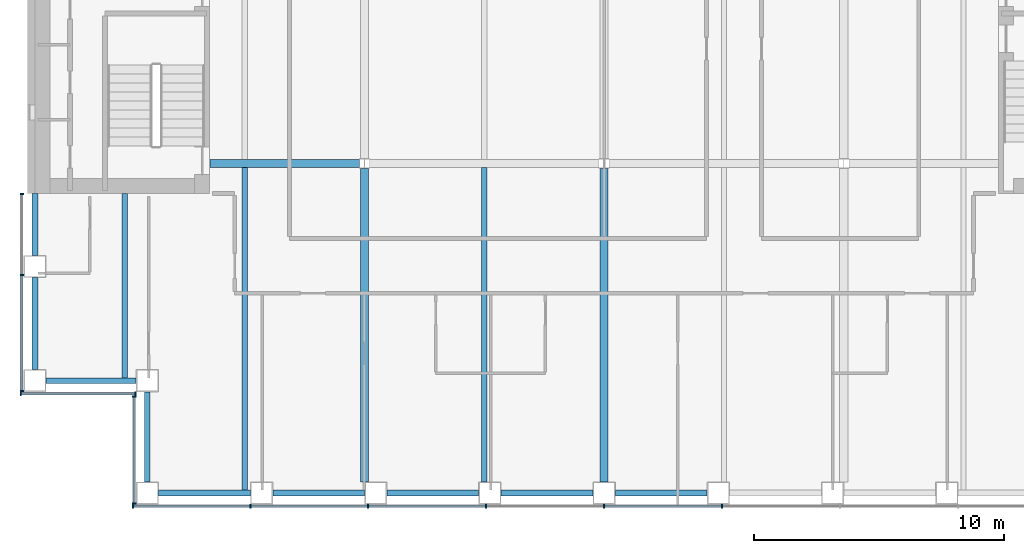
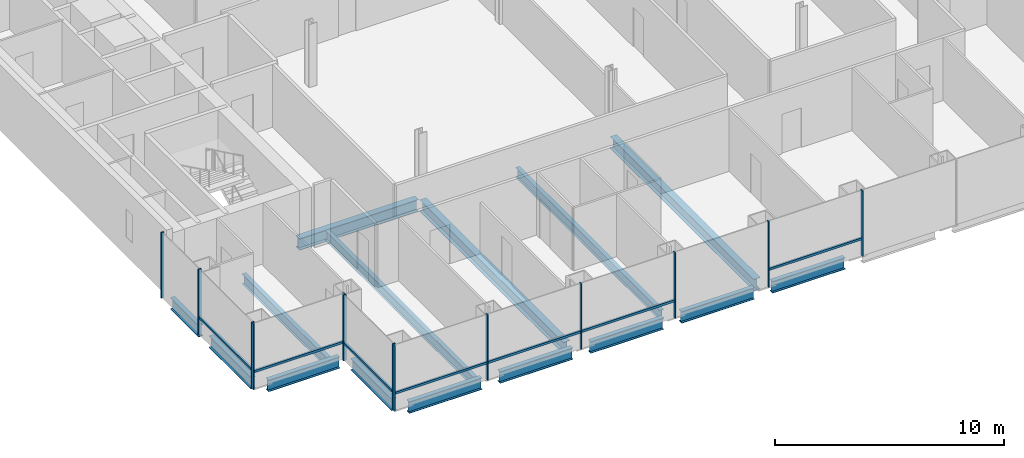
# One storey, part 2 of 16: 20 members, 15 beams, 4 elements without a shape of their own.
"""IFC4 building model written with IfcOpenShell, lengths in metres."""

import ifcopenshell
import ifcopenshell.guid

model = None  # the IFC model being written
_history = None  # IfcOwnerHistory: only IFC2X3 demands one
_inside = {}  # id of a spatial element -> (the spatial element, [elements in it])
_under = {}  # id of a project, library or spatial element -> (it, [spatial elements below it])
_declared = {}  # id of a project -> (the project, [libraries it declares])
_typed = {}  # id of a type object -> (the type object, [elements of that type])
_made_of = {}  # id of a material, layer set ... -> (it, [elements and type objects made of it])


def new_model(schema):
    """Start an empty IFC model of exactly this schema.

    Asked for "IFC4X3", IfcOpenShell would pick the latest addendum, in which some entities
    have other attributes; the version numbers below select the first issue.
    IFC2X3 requires an IfcOwnerHistory on every rooted entity: one is made here for all.
    """
    global model, _history
    if schema == "IFC4X3":
        model = ifcopenshell.file(schema_version=(4, 3, 0, 0))
    else:
        model = ifcopenshell.file(schema=schema)
    _inside.clear()
    _under.clear()
    _declared.clear()
    _typed.clear()
    _made_of.clear()
    _history = None
    if model.schema == "IFC2X3":
        org = make("IfcOrganization", Name="unknown")
        user = make(
            "IfcPersonAndOrganization",
            ThePerson=make("IfcPerson", FamilyName="unknown"),
            TheOrganization=org,
        )
        app = make(
            "IfcApplication",
            ApplicationDeveloper=org,
            Version="unknown",
            ApplicationFullName="unknown",
            ApplicationIdentifier="unknown",
        )
        _history = make(
            "IfcOwnerHistory",
            OwningUser=user,
            OwningApplication=app,
            ChangeAction="ADDED",
            CreationDate=0,
        )
    return model


def make(cls, **values):
    """One entity of the class cls with the attributes given. An attribute that is None is left unset."""
    return model.create_entity(
        cls, **{name: value for name, value in values.items() if value is not None}
    )


def rooted(cls, **values):
    """An entity with a GlobalId (a new one), such as an element, a storey or a relation."""
    return make(cls, GlobalId=ifcopenshell.guid.new(), OwnerHistory=_history, **values)


def si_unit(unit_type, name, prefix=None):
    """IfcSIUnit, for example si_unit("LENGTHUNIT", "METRE", prefix="MILLI")."""
    return make("IfcSIUnit", UnitType=unit_type, Prefix=prefix, Name=name)


def assignment(units):
    """IfcUnitAssignment: the units of a project."""
    return None if units is None else make("IfcUnitAssignment", Units=units)


def point(xyz):
    """IfcCartesianPoint."""
    return None if xyz is None else make("IfcCartesianPoint", Coordinates=xyz)


def direction(xyz):
    """IfcDirection."""
    return None if xyz is None else make("IfcDirection", DirectionRatios=xyz)


def frame(location, z_axis=None, x_axis=None):
    """IfcAxis2Placement3D, a coordinate frame: its origin and axes. An axis left out is left unset."""
    return make(
        "IfcAxis2Placement3D",
        Location=point(location),
        Axis=direction(z_axis),
        RefDirection=direction(x_axis),
    )


def frame_2d(location, x_axis=None):
    """IfcAxis2Placement2D, a coordinate frame in the plane: its origin and x axis."""
    return make(
        "IfcAxis2Placement2D", Location=point(location), RefDirection=direction(x_axis)
    )


def origin():
    """The frame at (0, 0, 0) with its axes left unset."""
    return frame((0.0, 0.0, 0.0))


def origin_2d():
    """The frame at (0, 0) in the plane with its x axis left unset."""
    return frame_2d((0.0, 0.0))


def place(relative_to, where):
    """IfcLocalPlacement: puts the frame where relative to a parent placement (None: the world)."""
    return make(
        "IfcLocalPlacement", PlacementRelTo=relative_to, RelativePlacement=where
    )


def context(
    kind, dimensions, precision=None, world=None, true_north=None, identifier=None
):
    """IfcGeometricRepresentationContext, for example the 3D "Model" context."""
    return make(
        "IfcGeometricRepresentationContext",
        ContextIdentifier=identifier,
        ContextType=kind,
        CoordinateSpaceDimension=dimensions,
        Precision=precision,
        WorldCoordinateSystem=world,
        TrueNorth=true_north,
    )


def subcontext(parent, identifier, kind, view, scale=None):
    """IfcGeometricRepresentationSubContext, for example "Body" below "Model"."""
    return make(
        "IfcGeometricRepresentationSubContext",
        ContextIdentifier=identifier,
        ContextType=kind,
        ParentContext=parent,
        TargetScale=scale,
        TargetView=view,
    )


def project(units=None, contexts=None):
    """IfcProject with its units and contexts."""
    return rooted(
        "IfcProject",
        Name="project",
        RepresentationContexts=contexts,
        UnitsInContext=assignment(units),
    )


def spatial(cls, under=None, at=None, **own):
    """A site, building, storey or space (cls), placed at a placement, below another one or the project."""
    s = rooted(cls, ObjectPlacement=at, **own)
    if under is not None:
        _under.setdefault(under.id(), (under, []))[1].append(s)
    return s


def profile(cls, at=None, kind="AREA", **sizes):
    """A parametric profile (cls). Its sizes go by their IFC names, for example OverallWidth=200.0."""
    return make(cls, ProfileType=kind, Position=at, **sizes)


def rectangle(**sizes):
    """IfcRectangleProfileDef."""
    return profile("IfcRectangleProfileDef", **sizes)


def i_section(**sizes):
    """IfcIShapeProfileDef."""
    return profile("IfcIShapeProfileDef", **sizes)


def extrude(swept, where, along, depth):
    """IfcExtrudedAreaSolid: the profile swept, set in the frame where, extruded along a direction by depth."""
    return make(
        "IfcExtrudedAreaSolid",
        SweptArea=swept,
        Position=where,
        ExtrudedDirection=direction(along),
        Depth=depth,
    )


def shape(context_of_items, identifier, shape_type, items):
    """IfcShapeRepresentation: the items that make up one representation, for example the "Body"."""
    return make(
        "IfcShapeRepresentation",
        ContextOfItems=context_of_items,
        RepresentationIdentifier=identifier,
        RepresentationType=shape_type,
        Items=items,
    )


def material(Name=None, Category=None):
    """IfcMaterial."""
    return make("IfcMaterial", Name=Name, Category=Category)


def material_profile(
    of_material, cross_section, Name=None, Category=None, Priority=None
):
    """IfcMaterialProfile: a cross section and its material."""
    return make(
        "IfcMaterialProfile",
        Name=Name,
        Material=of_material,
        Profile=cross_section,
        Priority=Priority,
        Category=Category,
    )


def profile_set(profiles, Name=None, composite=None):
    """IfcMaterialProfileSet."""
    return make(
        "IfcMaterialProfileSet",
        Name=Name,
        MaterialProfiles=profiles,
        CompositeProfile=composite,
    )


def made_of(thing, what):
    """Note that an element or type object is made of a material, layer set ...; save() writes the relation."""
    if what is not None:
        _made_of.setdefault(what.id(), (what, []))[1].append(thing)
    return thing


def type_object(cls, material=None, **own):
    """A type object (cls), such as IfcWallType, which elements share."""
    return made_of(rooted(cls, **own), material)


def element(
    cls,
    number,
    at=None,
    inside=None,
    cuts=None,
    type_object=None,
    material=None,
    context=None,
    identifier="Body",
    shape_type=None,
    held_by="IfcProductDefinitionShape",
    body=None,
    shapes=None,
    **own,
):
    """One element of the class cls, such as IfcWall. Its Tag is "e" and its number.

    at: its placement. inside: the storey or other place that contains it. cuts: it is an
    opening in that element (IfcRelVoidsElement). A single representation is given by context,
    identifier, shape_type and body (its items); several are given by shapes. held_by: the class
    of the entity that holds the representations. save() writes the other relations.
    """
    e = rooted(cls, Tag="e%d" % number, ObjectPlacement=at, **own)
    if body is not None:
        shapes = [shape(context, identifier, shape_type, body)]
    if shapes is not None:
        e.Representation = make(held_by, Representations=shapes)
    if inside is not None:
        _inside.setdefault(inside.id(), (inside, []))[1].append(e)
    if cuts is not None:
        rooted(
            "IfcRelVoidsElement", RelatingBuildingElement=cuts, RelatedOpeningElement=e
        )
    if type_object is not None:
        _typed.setdefault(type_object.id(), (type_object, []))[1].append(e)
    return made_of(e, material)


def aggregate(whole, parts):
    """IfcRelAggregates: a whole, such as a stair, and the parts it consists of."""
    return rooted("IfcRelAggregates", RelatingObject=whole, RelatedObjects=parts)


def save(model, path):
    """Write the relations noted so far, then the file.

    IfcRelAggregates (storeys below a building ...), IfcRelContainedInSpatialStructure (elements
    in a storey), IfcRelDefinesByType, IfcRelAssociatesMaterial and IfcRelDeclares: one each for
    every whole, place, type object, material and project.
    """
    for whole, parts in _under.values():
        aggregate(whole, parts)
    for where, things in _inside.values():
        rooted(
            "IfcRelContainedInSpatialStructure",
            RelatedElements=things,
            RelatingStructure=where,
        )
    for kind, things in _typed.values():
        rooted("IfcRelDefinesByType", RelatedObjects=things, RelatingType=kind)
    for what, things in _made_of.values():
        rooted("IfcRelAssociatesMaterial", RelatedObjects=things, RelatingMaterial=what)
    for by, libraries in _declared.values():
        rooted("IfcRelDeclares", RelatingContext=by, RelatedDefinitions=libraries)
    model.write(path)


model = new_model("IFC4")

# Units and contexts
model_context = context("Model", 3, precision=1e-05, world=origin(), true_north=direction((0.0, 1.0)))
body_context = subcontext(model_context, "Body", "Model", "MODEL_VIEW")
ifc_project = project(units=[si_unit("LENGTHUNIT", "METRE"), si_unit("AREAUNIT", "SQUARE_METRE"), si_unit("VOLUMEUNIT", "CUBIC_METRE"), si_unit("PLANEANGLEUNIT", "RADIAN"), si_unit("MASSUNIT", "GRAM", prefix="KILO")], contexts=[model_context])

# Site, building, storey
site_placement = place(None, origin())
site = spatial("IfcSite", under=ifc_project, at=site_placement, CompositionType="ELEMENT")
building_placement = place(site_placement, origin())
building = spatial("IfcBuilding", under=site, at=building_placement, Name="Cobrizo Arcos Hotel Tower", CompositionType="ELEMENT")
storey_placement = place(building_placement, frame((0.0, 0.0, 113.5)))
storey = spatial("IfcBuildingStorey", under=building, at=storey_placement, Name="L28", CompositionType="ELEMENT", Elevation=113.5)

# Curtain wall, members
ifc_material_1 = material(Name="Aluminium 6063-T6 anodised bronze", Category="aluminium")
curtain_wall_type = type_object("IfcCurtainWallType", Name="CW-A guest facade", PredefinedType="NOTDEFINED", material=ifc_material_1)
curtain_wall_1_placement = place(storey_placement, origin())
curtain_wall_1 = element("IfcCurtainWall", 1, at=curtain_wall_1_placement, inside=storey, type_object=curtain_wall_type, Name="CW-A L28 S face", PredefinedType="NOTDEFINED")
ifc_material_profile_1 = material_profile(ifc_material_1, rectangle(XDim=0.14990234375, YDim=0.06005859375, at=origin_2d()), Name="CW-A mullion 150x60")
ifc_profile_set_1 = profile_set([ifc_material_profile_1], Name="Aluminium 6063-T6 anodised bronze")
member_type_1 = type_object("IfcMemberType", Name="CW-A mullion 150x60", PredefinedType="MULLION", material=ifc_profile_set_1)
member_1_placement = place(storey_placement, frame((-18.8701171875, -23.324951171875, 0.0), z_axis=(0.0, 0.0, 1.0), x_axis=(0.0, -1.0, 0.0)))
member_1 = element("IfcMember", 2, at=member_1_placement, type_object=member_type_1, Name="CW-A mullion 1", PredefinedType="MULLION", context=body_context, shape_type="SweptSolid", body=[
    extrude(rectangle(XDim=0.14990234375, YDim=0.06005859375, at=origin_2d()), origin(), (0.0, 0.0, 1.0), 3.5),
])
member_2_placement = place(storey_placement, frame((-14.175048828125, -23.324951171875, 0.0), z_axis=(0.0, 0.0, 1.0), x_axis=(0.0, -1.0, 0.0)))
member_2 = element("IfcMember", 3, at=member_2_placement, type_object=member_type_1, Name="CW-A mullion 2", PredefinedType="MULLION", context=body_context, shape_type="SweptSolid", body=[
    extrude(rectangle(XDim=0.14990234375, YDim=0.06005859375, at=origin_2d()), origin(), (0.0, 0.0, 1.0), 3.5),
])
member_3_placement = place(storey_placement, frame((-9.449951171875, -23.324951171875, 0.0), z_axis=(0.0, 0.0, 1.0), x_axis=(0.0, -1.0, 0.0)))
member_3 = element("IfcMember", 4, at=member_3_placement, type_object=member_type_1, Name="CW-A mullion 3", PredefinedType="MULLION", context=body_context, shape_type="SweptSolid", body=[
    extrude(rectangle(XDim=0.14990234375, YDim=0.06005859375, at=origin_2d()), origin(), (0.0, 0.0, 1.0), 3.5),
])
member_4_placement = place(storey_placement, frame((-4.72509765625, -23.324951171875, 0.0), z_axis=(0.0, 0.0, 1.0), x_axis=(0.0, -1.0, 0.0)))
member_4 = element("IfcMember", 5, at=member_4_placement, type_object=member_type_1, Name="CW-A mullion 4", PredefinedType="MULLION", context=body_context, shape_type="SweptSolid", body=[
    extrude(rectangle(XDim=0.14990234375, YDim=0.06005859375, at=origin_2d()), origin(), (0.0, 0.0, 1.0), 3.5),
])
member_5_placement = place(storey_placement, frame((0.0, -23.324951171875, 0.0), z_axis=(0.0, 0.0, 1.0), x_axis=(0.0, -1.0, 0.0)))
member_5 = element("IfcMember", 6, at=member_5_placement, type_object=member_type_1, Name="CW-A mullion 5", PredefinedType="MULLION", context=body_context, shape_type="SweptSolid", body=[
    extrude(rectangle(XDim=0.14990234375, YDim=0.06005859375, at=origin_2d()), origin(), (0.0, 0.0, 1.0), 3.5),
])
member_6_placement = place(storey_placement, frame((4.72509765625, -23.324951171875, 0.0), z_axis=(0.0, 0.0, 1.0), x_axis=(0.0, -1.0, 0.0)))
member_6 = element("IfcMember", 7, at=member_6_placement, type_object=member_type_1, Name="CW-A mullion 6", PredefinedType="MULLION", context=body_context, shape_type="SweptSolid", body=[
    extrude(rectangle(XDim=0.14990234375, YDim=0.06005859375, at=origin_2d()), origin(), (0.0, 0.0, 1.0), 3.5),
])

curtain_wall_2_placement = place(storey_placement, origin())
curtain_wall_2 = element("IfcCurtainWall", 8, at=curtain_wall_2_placement, inside=storey, type_object=curtain_wall_type, Name="CW-A L28 W face", PredefinedType="NOTDEFINED")
member_7_placement = place(storey_placement, frame((-23.324951171875, -10.830078125, 0.0), z_axis=(0.0, 0.0, 1.0), x_axis=(-1.0, 0.0, 0.0)))
member_7 = element("IfcMember", 9, at=member_7_placement, type_object=member_type_1, Name="CW-A mullion 1", PredefinedType="MULLION", context=body_context, shape_type="SweptSolid", body=[
    extrude(rectangle(XDim=0.14990234375, YDim=0.06005859375, at=origin_2d()), origin(), (0.0, 0.0, 1.0), 3.5),
])
member_8_placement = place(storey_placement, frame((-23.324951171875, -14.0625, 0.0), z_axis=(0.0, 0.0, 1.0), x_axis=(-1.0, 0.0, 0.0)))
member_8 = element("IfcMember", 10, at=member_8_placement, type_object=member_type_1, Name="CW-A mullion 2", PredefinedType="MULLION", context=body_context, shape_type="SweptSolid", body=[
    extrude(rectangle(XDim=0.14990234375, YDim=0.06005859375, at=origin_2d()), origin(), (0.0, 0.0, 1.0), 3.5),
])
member_9_placement = place(storey_placement, frame((-23.324951171875, -18.719970703125, 0.0), z_axis=(0.0, 0.0, 1.0), x_axis=(-1.0, 0.0, 0.0)))
member_9 = element("IfcMember", 11, at=member_9_placement, type_object=member_type_1, Name="CW-A mullion 3", PredefinedType="MULLION", context=body_context, shape_type="SweptSolid", body=[
    extrude(rectangle(XDim=0.14990234375, YDim=0.06005859375, at=origin_2d()), origin(), (0.0, 0.0, 1.0), 3.5),
])

curtain_wall_3_placement = place(storey_placement, origin())
curtain_wall_3 = element("IfcCurtainWall", 12, at=curtain_wall_3_placement, inside=storey, type_object=curtain_wall_type, Name="CW-A L28 S face", PredefinedType="NOTDEFINED")
member_10_placement = place(storey_placement, frame((-23.3701171875, -18.824951171875, 0.0), z_axis=(0.0, 0.0, 1.0), x_axis=(0.0, -1.0, 0.0)))
member_10 = element("IfcMember", 13, at=member_10_placement, type_object=member_type_1, Name="CW-A mullion 1", PredefinedType="MULLION", context=body_context, shape_type="SweptSolid", body=[
    extrude(rectangle(XDim=0.14990234375, YDim=0.06005859375, at=origin_2d()), origin(), (0.0, 0.0, 1.0), 3.5),
])
member_11_placement = place(storey_placement, frame((-18.780029296875, -18.824951171875, 0.0), z_axis=(0.0, 0.0, 1.0), x_axis=(0.0, -1.0, 0.0)))
member_11 = element("IfcMember", 14, at=member_11_placement, type_object=member_type_1, Name="CW-A mullion 2", PredefinedType="MULLION", context=body_context, shape_type="SweptSolid", body=[
    extrude(rectangle(XDim=0.14990234375, YDim=0.06005859375, at=origin_2d()), origin(), (0.0, 0.0, 1.0), 3.5),
])

curtain_wall_4_placement = place(storey_placement, origin())
curtain_wall_4 = element("IfcCurtainWall", 15, at=curtain_wall_4_placement, inside=storey, type_object=curtain_wall_type, Name="CW-A L28 W face", PredefinedType="NOTDEFINED")
member_12_placement = place(storey_placement, frame((-18.824951171875, -18.929931640625, 0.0), z_axis=(0.0, 0.0, 1.0), x_axis=(-1.0, 0.0, 0.0)))
member_12 = element("IfcMember", 16, at=member_12_placement, type_object=member_type_1, Name="CW-A mullion 1", PredefinedType="MULLION", context=body_context, shape_type="SweptSolid", body=[
    extrude(rectangle(XDim=0.14990234375, YDim=0.06005859375, at=origin_2d()), origin(), (0.0, 0.0, 1.0), 3.5),
])
member_13_placement = place(storey_placement, frame((-18.824951171875, -23.219970703125, 0.0), z_axis=(0.0, 0.0, 1.0), x_axis=(-1.0, 0.0, 0.0)))
member_13 = element("IfcMember", 17, at=member_13_placement, type_object=member_type_1, Name="CW-A mullion 2", PredefinedType="MULLION", context=body_context, shape_type="SweptSolid", body=[
    extrude(rectangle(XDim=0.14990234375, YDim=0.06005859375, at=origin_2d()), origin(), (0.0, 0.0, 1.0), 3.5),
])

# Member
ifc_material_profile_2 = material_profile(ifc_material_1, rectangle(XDim=0.10009765625, YDim=0.1201171875, at=origin_2d()), Name="CW-A transom 120x100")
ifc_profile_set_2 = profile_set([ifc_material_profile_2], Name="Aluminium 6063-T6 anodised bronze")
member_type_2 = type_object("IfcMemberType", Name="CW-A transom 120x100", PredefinedType="USERDEFINED", material=ifc_profile_set_2)
member_14_placement = place(storey_placement, frame((-18.840087890625, -23.324951171875, 0.929931640625), z_axis=(1.0, 0.0, 0.0), x_axis=(0.0, 1.0, 0.0)))
member_14 = element("IfcMember", 18, at=member_14_placement, type_object=member_type_2, Name="CW-A transom 1075", ObjectType="TRANSOM", PredefinedType="USERDEFINED", context=body_context, shape_type="SweptSolid", body=[
    extrude(rectangle(XDim=0.10009765625, YDim=0.1201171875, at=origin_2d()), origin(), (0.0, 0.0, 1.0), 4.635009765625),
])

member_15_placement = place(storey_placement, frame((-14.14501953125, -23.324951171875, 0.929931640625), z_axis=(1.0, 0.0, 0.0), x_axis=(0.0, 1.0, 0.0)))
member_15 = element("IfcMember", 19, at=member_15_placement, type_object=member_type_2, Name="CW-A transom 1076", ObjectType="TRANSOM", PredefinedType="USERDEFINED", context=body_context, shape_type="SweptSolid", body=[
    extrude(rectangle(XDim=0.10009765625, YDim=0.1201171875, at=origin_2d()), origin(), (0.0, 0.0, 1.0), 4.6650390625),
])

member_16_placement = place(storey_placement, frame((-9.419921875, -23.324951171875, 0.929931640625), z_axis=(1.0, 0.0, 0.0), x_axis=(0.0, 1.0, 0.0)))
member_16 = element("IfcMember", 20, at=member_16_placement, type_object=member_type_2, Name="CW-A transom 1077", ObjectType="TRANSOM", PredefinedType="USERDEFINED", context=body_context, shape_type="SweptSolid", body=[
    extrude(rectangle(XDim=0.10009765625, YDim=0.1201171875, at=origin_2d()), origin(), (0.0, 0.0, 1.0), 4.6650390625),
])

member_17_placement = place(storey_placement, frame((0.030029296875, -23.324951171875, 0.929931640625), z_axis=(1.0, 0.0, 0.0), x_axis=(0.0, 1.0, 0.0)))
member_17 = element("IfcMember", 21, at=member_17_placement, type_object=member_type_2, Name="CW-A transom 1079", ObjectType="TRANSOM", PredefinedType="USERDEFINED", context=body_context, shape_type="SweptSolid", body=[
    extrude(rectangle(XDim=0.10009765625, YDim=0.1201171875, at=origin_2d()), origin(), (0.0, 0.0, 1.0), 4.6650390625),
])

aggregate(curtain_wall_1, [member_1, member_2, member_3, member_4, member_5, member_6, member_14, member_15, member_16, member_17])

member_18_placement = place(storey_placement, frame((-23.324951171875, -14.092529296875, 0.929931640625), z_axis=(0.0, -1.0, 0.0), x_axis=(1.0, 0.0, 0.0)))
member_18 = element("IfcMember", 22, at=member_18_placement, type_object=member_type_2, Name="CW-A transom 1104", ObjectType="TRANSOM", PredefinedType="USERDEFINED", context=body_context, shape_type="SweptSolid", body=[
    extrude(rectangle(XDim=0.10009765625, YDim=0.1201171875, at=origin_2d()), origin(), (0.0, 0.0, 1.0), 4.597412109375),
])

aggregate(curtain_wall_2, [member_7, member_8, member_9, member_18])

member_19_placement = place(storey_placement, frame((-23.340087890625, -18.824951171875, 0.929931640625), z_axis=(1.0, 0.0, 0.0), x_axis=(0.0, 1.0, 0.0)))
member_19 = element("IfcMember", 23, at=member_19_placement, type_object=member_type_2, Name="CW-A transom 1105", ObjectType="TRANSOM", PredefinedType="USERDEFINED", context=body_context, shape_type="SweptSolid", body=[
    extrude(rectangle(XDim=0.10009765625, YDim=0.1201171875, at=origin_2d()), origin(), (0.0, 0.0, 1.0), 4.530029296875),
])

aggregate(curtain_wall_3, [member_10, member_11, member_19])

member_20_placement = place(storey_placement, frame((-18.824951171875, -18.9599609375, 0.929931640625), z_axis=(0.0, -1.0, 0.0), x_axis=(1.0, 0.0, 0.0)))
member_20 = element("IfcMember", 24, at=member_20_placement, type_object=member_type_2, Name="CW-A transom 1106", ObjectType="TRANSOM", PredefinedType="USERDEFINED", context=body_context, shape_type="SweptSolid", body=[
    extrude(rectangle(XDim=0.10009765625, YDim=0.1201171875, at=origin_2d()), origin(), (0.0, 0.0, 1.0), 4.22998046875),
])

aggregate(curtain_wall_4, [member_12, member_13, member_20])

# Beams
ifc_material_2 = material(Name="Steel ASTM A992 Grade 50", Category="steel")
ifc_material_profile_3 = material_profile(ifc_material_2, i_section(OverallWidth=0.209228515625, OverallDepth=0.533447265625, WebThickness=0.01025390625, FlangeThickness=0.015625, at=origin_2d()), Name="W21X62")
ifc_profile_set_3 = profile_set([ifc_material_profile_3], Name="Steel ASTM A992 Grade 50")
beam_type_1 = type_object("IfcBeamType", Name="W21X62 joist", PredefinedType="JOIST", material=ifc_profile_set_3)
beam_1_placement = place(storey_placement, frame((-19.199951171875, -18.2099609375, -0.416748046875), z_axis=(0.0, 1.0, 0.0), x_axis=(-1.0, 0.0, 0.0)))
element("IfcBeam", 25, at=beam_1_placement, inside=storey, type_object=beam_type_1, Name="Floor joist J1, L28, no. 001", PredefinedType="JOIST", context=body_context, shape_type="SweptSolid", body=[
    extrude(i_section(OverallWidth=0.209228515625, OverallDepth=0.533447265625, WebThickness=0.01025390625, FlangeThickness=0.015625, at=origin_2d()), origin(), (0.0, 0.0, 1.0), 7.39990234375),
])
beam_2_placement = place(storey_placement, frame((-14.39990234375, -22.7099609375, -0.416748046875), z_axis=(0.0, 1.0, 0.0), x_axis=(-1.0, 0.0, 0.0)))
element("IfcBeam", 26, at=beam_2_placement, inside=storey, type_object=beam_type_1, Name="Floor joist J1, L28, no. 003", PredefinedType="JOIST", context=body_context, shape_type="SweptSolid", body=[
    extrude(i_section(OverallWidth=0.209228515625, OverallDepth=0.533447265625, WebThickness=0.01025390625, FlangeThickness=0.015625, at=origin_2d()), origin(), (0.0, 0.0, 1.0), 12.946044921875),
])
beam_3_placement = place(storey_placement, frame((-4.800048828125, -22.35009765625, -0.416748046875), z_axis=(0.0, 1.0, 0.0), x_axis=(-1.0, 0.0, 0.0)))
element("IfcBeam", 27, at=beam_3_placement, inside=storey, type_object=beam_type_1, Name="Floor joist J1, L28, no. 007", PredefinedType="JOIST", context=body_context, shape_type="SweptSolid", body=[
    extrude(i_section(OverallWidth=0.209228515625, OverallDepth=0.533447265625, WebThickness=0.01025390625, FlangeThickness=0.015625, at=origin_2d()), origin(), (0.0, 0.0, 1.0), 12.586181640625),
])
ifc_material_profile_4 = material_profile(ifc_material_2, i_section(OverallWidth=0.32763671875, OverallDepth=0.622314453125, WebThickness=0.015380859375, FlangeThickness=0.0244140625, at=origin_2d()), Name="W24X131")
ifc_profile_set_4 = profile_set([ifc_material_profile_4], Name="Steel ASTM A992 Grade 50")
beam_type_2 = type_object("IfcBeamType", Name="W24X131 girder", PredefinedType="BEAM", material=ifc_profile_set_4)
beam_4_placement = place(storey_placement, frame((-15.7900390625, -9.60009765625, -0.461181640625), z_axis=(1.0, 0.0, 0.0), x_axis=(0.0, 1.0, 0.0)))
element("IfcBeam", 28, at=beam_4_placement, inside=storey, type_object=beam_type_2, Name="Floor girder G1, L28, no. 001", PredefinedType="BEAM", context=body_context, shape_type="SweptSolid", body=[
    extrude(i_section(OverallWidth=0.32763671875, OverallDepth=0.622314453125, WebThickness=0.015380859375, FlangeThickness=0.0244140625, at=origin_2d()), origin(), (0.0, 0.0, 1.0), 5.99072265625),
])
for number, where, z_axis, x_axis, name in (
    (29, (-9.60009765625, -22.35009765625, -0.461181640625), (0.0, 1.0, 0.0), (-1.0, 0.0, 0.0), "Floor girder G1, L28, no. 013"),
    (30, (0.0, -22.35009765625, -0.461181640625), (0.0, 1.0, 0.0), (-1.0, 0.0, 0.0), "Floor girder G1, L28, no. 017"),
):
    element("IfcBeam", number, at=place(storey_placement, frame(where, z_axis=z_axis, x_axis=x_axis)), inside=storey, type_object=beam_type_2, Name=name, PredefinedType="BEAM", context=body_context, shape_type="SweptSolid", body=[
        extrude(i_section(OverallWidth=0.32763671875, OverallDepth=0.622314453125, WebThickness=0.015380859375, FlangeThickness=0.0244140625, at=origin_2d()), origin(), (0.0, 0.0, 1.0), 12.55078125),
    ])
ifc_material_profile_5 = material_profile(ifc_material_2, i_section(OverallWidth=0.23046875, OverallDepth=0.6171875, WebThickness=0.01318359375, FlangeThickness=0.022216796875, at=origin_2d()), Name="W24X94")
ifc_profile_set_5 = profile_set([ifc_material_profile_5], Name="Steel ASTM A992 Grade 50")
beam_type_3 = type_object("IfcBeamType", Name="W24X94 spandrel", PredefinedType="SPANDREL", material=ifc_profile_set_5)
beam_5_placement = place(storey_placement, frame((-17.85009765625, -22.800048828125, -0.45849609375), z_axis=(1.0, 0.0, 0.0), x_axis=(0.0, 1.0, 0.0)))
element("IfcBeam", 31, at=beam_5_placement, inside=storey, type_object=beam_type_3, Name="Spandrel beam W24X94, L28, no. 001", PredefinedType="SPANDREL", context=body_context, shape_type="SweptSolid", body=[
    extrude(i_section(OverallWidth=0.23046875, OverallDepth=0.6171875, WebThickness=0.01318359375, FlangeThickness=0.022216796875, at=origin_2d()), origin(), (0.0, 0.0, 1.0), 3.675048828125),
])
beam_6_placement = place(storey_placement, frame((-13.27490234375, -22.800048828125, -0.45849609375), z_axis=(1.0, 0.0, 0.0), x_axis=(0.0, 1.0, 0.0)))
element("IfcBeam", 32, at=beam_6_placement, inside=storey, type_object=beam_type_3, Name="Spandrel beam W24X94, L28, no. 002", PredefinedType="SPANDREL", context=body_context, shape_type="SweptSolid", body=[
    extrude(i_section(OverallWidth=0.23046875, OverallDepth=0.6171875, WebThickness=0.01318359375, FlangeThickness=0.022216796875, at=origin_2d()), origin(), (0.0, 0.0, 1.0), 3.6748046875),
])
for number, where, z_axis, x_axis, name in (
    (33, (-8.699951171875, -22.800048828125, -0.45849609375), (1.0, 0.0, 0.0), (0.0, 1.0, 0.0), "Spandrel beam W24X94, L28, no. 003"),
    (34, (-4.125, -22.800048828125, -0.45849609375), (1.0, 0.0, 0.0), (0.0, 1.0, 0.0), "Spandrel beam W24X94, L28, no. 004"),
    (35, (0.449951171875, -22.800048828125, -0.45849609375), (1.0, 0.0, 0.0), (0.0, 1.0, 0.0), "Spandrel beam W24X94, L28, no. 005"),
):
    element("IfcBeam", number, at=place(storey_placement, frame(where, z_axis=z_axis, x_axis=x_axis)), inside=storey, type_object=beam_type_3, Name=name, PredefinedType="SPANDREL", context=body_context, shape_type="SweptSolid", body=[
        extrude(i_section(OverallWidth=0.23046875, OverallDepth=0.6171875, WebThickness=0.01318359375, FlangeThickness=0.022216796875, at=origin_2d()), origin(), (0.0, 0.0, 1.0), 3.675048828125),
    ])
beam_7_placement = place(storey_placement, frame((-22.800048828125, -10.81005859375, -0.45849609375), z_axis=(0.0, -1.0, 0.0), x_axis=(1.0, 0.0, 0.0)))
element("IfcBeam", 36, at=beam_7_placement, inside=storey, type_object=beam_type_3, Name="Spandrel beam W24X94, L28, no. 029", PredefinedType="SPANDREL", context=body_context, shape_type="SweptSolid", body=[
    extrude(i_section(OverallWidth=0.23046875, OverallDepth=0.6171875, WebThickness=0.01318359375, FlangeThickness=0.022216796875, at=origin_2d()), origin(), (0.0, 0.0, 1.0), 2.46484375),
])
beam_8_placement = place(storey_placement, frame((-22.800048828125, -14.175048828125, -0.45849609375), z_axis=(0.0, -1.0, 0.0), x_axis=(1.0, 0.0, 0.0)))
element("IfcBeam", 37, at=beam_8_placement, inside=storey, type_object=beam_type_3, Name="Spandrel beam W24X94, L28, no. 030", PredefinedType="SPANDREL", context=body_context, shape_type="SweptSolid", body=[
    extrude(i_section(OverallWidth=0.23046875, OverallDepth=0.6171875, WebThickness=0.01318359375, FlangeThickness=0.022216796875, at=origin_2d()), origin(), (0.0, 0.0, 1.0), 3.675048828125),
])
for number, where, z_axis, x_axis, name in (
    (38, (-22.35009765625, -18.300048828125, -0.45849609375), (1.0, 0.0, 0.0), (0.0, 1.0, 0.0), "Spandrel beam W24X94, L28, no. 031"),
    (39, (-18.300048828125, -18.75, -0.45849609375), (0.0, -1.0, 0.0), (1.0, 0.0, 0.0), "Spandrel beam W24X94, L28, no. 032"),
):
    element("IfcBeam", number, at=place(storey_placement, frame(where, z_axis=z_axis, x_axis=x_axis)), inside=storey, type_object=beam_type_3, Name=name, PredefinedType="SPANDREL", context=body_context, shape_type="SweptSolid", body=[
        extrude(i_section(OverallWidth=0.23046875, OverallDepth=0.6171875, WebThickness=0.01318359375, FlangeThickness=0.022216796875, at=origin_2d()), origin(), (0.0, 0.0, 1.0), 3.60009765625),
    ])

save(model, "model.ifc")
